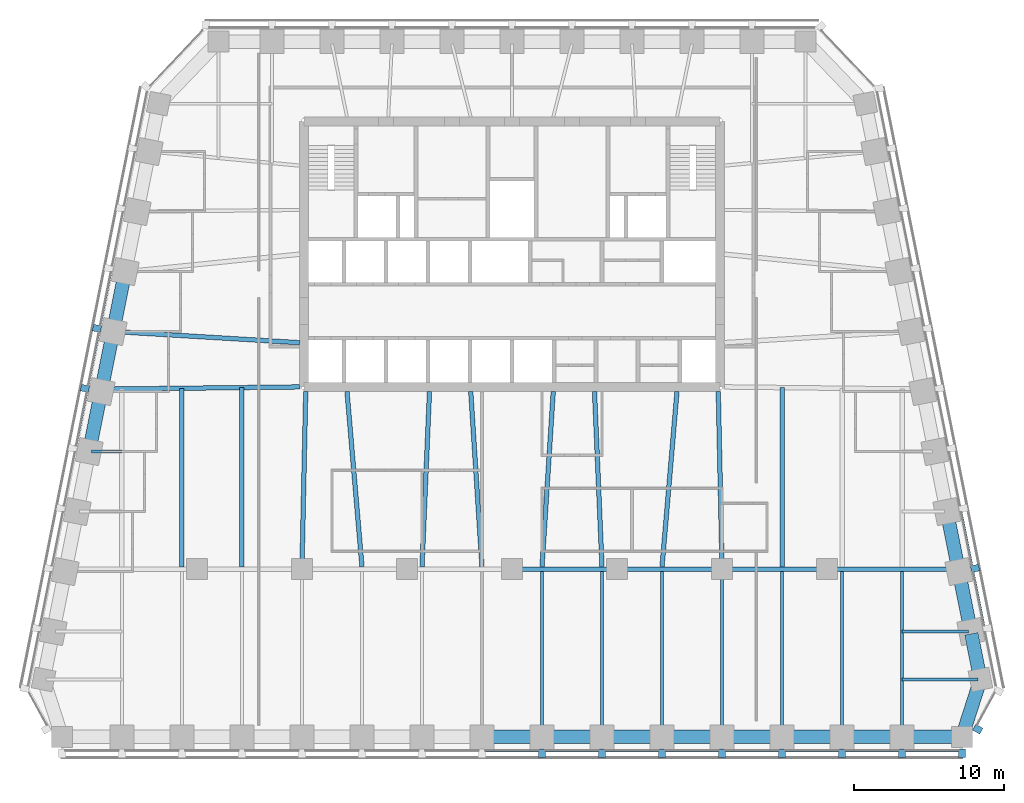
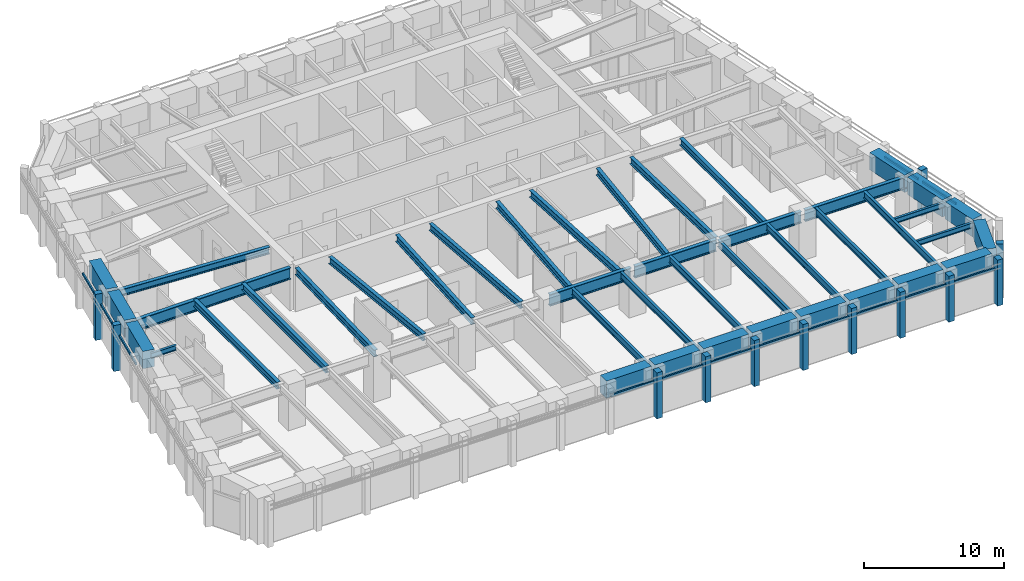
# One storey, part 2 of 10: 42 beams, 25 members, 4 elements without a shape of their own.
"""IFC4 building model written with IfcOpenShell, lengths in metres."""

from ifc_helpers import new_model, si_unit, direction, frame, origin, origin_2d, place, context, subcontext, project, spatial, rectangle, i_section, extrude, material, material_profile, profile_set, type_object, element, aggregate, save


model = new_model("IFC4")

# Units and contexts
model_context = context("Model", 3, precision=1e-05, world=origin(), true_north=direction((0.0, 1.0)))
body_context = subcontext(model_context, "Body", "Model", "MODEL_VIEW")
ifc_project = project(units=[si_unit("LENGTHUNIT", "METRE"), si_unit("AREAUNIT", "SQUARE_METRE"), si_unit("VOLUMEUNIT", "CUBIC_METRE"), si_unit("PLANEANGLEUNIT", "RADIAN"), si_unit("MASSUNIT", "GRAM", prefix="KILO")], contexts=[model_context])

# Site, building, storey
site_placement = place(None, origin())
site = spatial("IfcSite", under=ifc_project, at=site_placement, CompositionType="ELEMENT")
building_placement = place(site_placement, origin())
building = spatial("IfcBuilding", under=site, at=building_placement, Name="Isbrekke Arena Tower", CompositionType="ELEMENT")
storey_placement = place(building_placement, frame((0.0, 0.0, 190.0)))
storey = spatial("IfcBuildingStorey", under=building, at=storey_placement, Name="L43", CompositionType="ELEMENT", Elevation=190.0)

# Beams
ifc_material_1 = material(Name="Steel S355", Category="steel")
ifc_material_profile_1 = material_profile(ifc_material_1, i_section(OverallWidth=0.219970703125, OverallDepth=0.60009765625, WebThickness=0.011962890625, FlangeThickness=0.01904296875, FilletRadius=0.02392578125, at=origin_2d()), Name="IPE 600")
ifc_profile_set_1 = profile_set([ifc_material_profile_1], Name="Steel S355")
beam_type_1 = type_object("IfcBeamType", Name="B1 IPE 600", PredefinedType="BEAM", material=ifc_profile_set_1)
for number, where, z_axis, x_axis, name in (
    (1, (2.0, -17.02490234375, 3.550048828125), (0.0, 1.0, 0.0), (-1.0, 0.0, 0.0), "B1 beam S-S09 L43"),
    (2, (6.0, -17.02490234375, 3.550048828125), (0.0, 1.0, 0.0), (-1.0, 0.0, 0.0), "B1 beam S-S10 L43"),
    (3, (10.0, -17.02490234375, 3.550048828125), (0.0, 1.0, 0.0), (-1.0, 0.0, 0.0), "B1 beam S-S11 L43"),
):
    element("IfcBeam", number, at=place(storey_placement, frame(where, z_axis=z_axis, x_axis=x_axis)), inside=storey, type_object=beam_type_1, Name=name, PredefinedType="BEAM", context=body_context, shape_type="SweptSolid", body=[
        extrude(i_section(OverallWidth=0.219970703125, OverallDepth=0.60009765625, WebThickness=0.011962890625, FlangeThickness=0.01904296875, FilletRadius=0.02392578125, at=origin_2d()), origin(), (0.0, 0.0, 1.0), 10.8740234375),
    ])
beam_1_placement = place(storey_placement, frame((14.0, -17.02490234375, 3.550048828125), z_axis=(0.0, 1.0, 0.0), x_axis=(-1.0, 0.0, 0.0)))
element("IfcBeam", 4, at=beam_1_placement, inside=storey, type_object=beam_type_1, Name="B1 beam S-S12 L43", PredefinedType="BEAM", context=body_context, shape_type="SweptSolid", body=[
    extrude(i_section(OverallWidth=0.219970703125, OverallDepth=0.60009765625, WebThickness=0.011962890625, FlangeThickness=0.01904296875, FilletRadius=0.02392578125, at=origin_2d()), origin(), (0.0, 0.0, 1.0), 10.875),
])
for number, where, z_axis, x_axis, name in (
    (5, (18.0, -17.02490234375, 3.550048828125), (0.0, 1.0, 0.0), (-1.0, 0.0, 0.0), "B1 beam S-S13 L43"),
    (6, (22.0, -17.02490234375, 3.550048828125), (0.0, 1.0, 0.0), (-1.0, 0.0, 0.0), "B1 beam S-S14 L43"),
    (7, (26.0, -17.02490234375, 3.550048828125), (0.0, 1.0, 0.0), (-1.0, 0.0, 0.0), "B1 beam S-S15 L43"),
):
    element("IfcBeam", number, at=place(storey_placement, frame(where, z_axis=z_axis, x_axis=x_axis)), inside=storey, type_object=beam_type_1, Name=name, PredefinedType="BEAM", context=body_context, shape_type="SweptSolid", body=[
        extrude(i_section(OverallWidth=0.219970703125, OverallDepth=0.60009765625, WebThickness=0.011962890625, FlangeThickness=0.01904296875, FilletRadius=0.02392578125, at=origin_2d()), origin(), (0.0, 0.0, 1.0), 10.8740234375),
    ])
ifc_material_2 = material(Name="Steel S355", Category="steel")
ifc_material_profile_2 = material_profile(ifc_material_2, i_section(OverallWidth=0.18994140625, OverallDepth=0.449951171875, WebThickness=0.009521484375, FlangeThickness=0.0146484375, FilletRadius=0.02099609375, at=origin_2d()), Name="IPE 450")
ifc_profile_set_2 = profile_set([ifc_material_profile_2], Name="Steel S355")
beam_type_2 = type_object("IfcBeamType", Name="B2 IPE 450", PredefinedType="BEAM", material=ifc_profile_set_2)
beam_2_placement = place(storey_placement, frame((31.079345703125, -13.352783203125, 3.625), z_axis=(-1.0, 0.0, 0.0), x_axis=(0.0, -1.0, 0.0)))
element("IfcBeam", 8, at=beam_2_placement, inside=storey, type_object=beam_type_2, Name="B2 beam E-E01 L43", PredefinedType="BEAM", context=body_context, shape_type="SweptSolid", body=[
    extrude(i_section(OverallWidth=0.18994140625, OverallDepth=0.449951171875, WebThickness=0.009521484375, FlangeThickness=0.0146484375, FilletRadius=0.02099609375, at=origin_2d()), origin(), (0.0, 0.0, 1.0), 5.079345703125),
])
beam_3_placement = place(storey_placement, frame((30.44091796875, -10.161865234375, 3.625), z_axis=(-1.0, 0.0, 0.0), x_axis=(0.0, -1.0, 0.0)))
element("IfcBeam", 9, at=beam_3_placement, inside=storey, type_object=beam_type_2, Name="B2 beam E-E02 L43", PredefinedType="BEAM", context=body_context, shape_type="SweptSolid", body=[
    extrude(i_section(OverallWidth=0.18994140625, OverallDepth=0.449951171875, WebThickness=0.009521484375, FlangeThickness=0.0146484375, FilletRadius=0.02099609375, at=origin_2d()), origin(), (0.0, 0.0, 1.0), 4.44091796875),
])
beam_4_placement = place(storey_placement, frame((-28.041015625, 1.838134765625, 3.625), z_axis=(1.0, 0.0, 0.0), x_axis=(0.0, 1.0, 0.0)))
element("IfcBeam", 10, at=beam_4_placement, inside=storey, type_object=beam_type_2, Name="B2 beam E-W07 L43", PredefinedType="BEAM", context=body_context, shape_type="SweptSolid", body=[
    extrude(i_section(OverallWidth=0.18994140625, OverallDepth=0.449951171875, WebThickness=0.009521484375, FlangeThickness=0.0146484375, FilletRadius=0.02099609375, at=origin_2d()), origin(), (0.0, 0.0, 1.0), 2.041015625),
])
ifc_material_3 = material(Name="Steel S355", Category="steel")
ifc_material_profile_3 = material_profile(ifc_material_3, i_section(OverallWidth=0.300048828125, OverallDepth=0.60009765625, WebThickness=0.015380859375, FlangeThickness=0.030029296875, FilletRadius=0.027099609375, at=origin_2d()), Name="HEB 600")
ifc_profile_set_3 = profile_set([ifc_material_profile_3], Name="Steel S355")
beam_type_3 = type_object("IfcBeamType", Name="B7 HEB 600", PredefinedType="BEAM", material=ifc_profile_set_3)
beam_5_placement = place(storey_placement, frame((-22.0, -5.84912109375, 3.550048828125), z_axis=(0.0, 1.0, 0.0), x_axis=(-1.0, 0.0, 0.0)))
element("IfcBeam", 11, at=beam_5_placement, inside=storey, type_object=beam_type_3, Name="B7 beam C-M02 L43", PredefinedType="BEAM", context=body_context, shape_type="SweptSolid", body=[
    extrude(i_section(OverallWidth=0.300048828125, OverallDepth=0.60009765625, WebThickness=0.015380859375, FlangeThickness=0.030029296875, FilletRadius=0.027099609375, at=origin_2d()), origin(), (0.0, 0.0, 1.0), 11.91015625),
])
beam_6_placement = place(storey_placement, frame((-18.0, -5.84912109375, 3.550048828125), z_axis=(0.0, 1.0, 0.0), x_axis=(-1.0, 0.0, 0.0)))
element("IfcBeam", 12, at=beam_6_placement, inside=storey, type_object=beam_type_3, Name="B7 beam C-M03 L43", PredefinedType="BEAM", context=body_context, shape_type="SweptSolid", body=[
    extrude(i_section(OverallWidth=0.300048828125, OverallDepth=0.60009765625, WebThickness=0.015380859375, FlangeThickness=0.030029296875, FilletRadius=0.027099609375, at=origin_2d()), origin(), (0.0, 0.0, 1.0), 11.95556640625),
])
beam_7_placement = place(storey_placement, frame((-14.0, -5.8466796875, 3.550048828125), z_axis=(0.021368528218, 0.999771666933, 0.0), x_axis=(-0.999771666933, 0.021368528218, 0.0)))
element("IfcBeam", 13, at=beam_7_placement, inside=storey, type_object=beam_type_3, Name="B7 beam C-M04 L43", PredefinedType="BEAM", context=body_context, shape_type="SweptSolid", body=[
    extrude(i_section(OverallWidth=0.300048828125, OverallDepth=0.60009765625, WebThickness=0.015380859375, FlangeThickness=0.030029296875, FilletRadius=0.027099609375, at=origin_2d()), origin(), (0.0, 0.0, 1.0), 11.699462890625),
])
beam_8_placement = place(storey_placement, frame((-10.0009765625, -5.836181640625, 3.550048828125), z_axis=(-0.085176202372, 0.996365903948, 0.0), x_axis=(-0.996365903948, -0.085176202372, 0.0)))
element("IfcBeam", 14, at=beam_8_placement, inside=storey, type_object=beam_type_3, Name="B7 beam C-M05 L43", PredefinedType="BEAM", context=body_context, shape_type="SweptSolid", body=[
    extrude(i_section(OverallWidth=0.300048828125, OverallDepth=0.60009765625, WebThickness=0.015380859375, FlangeThickness=0.030029296875, FilletRadius=0.027099609375, at=origin_2d()), origin(), (0.0, 0.0, 1.0), 11.72900390625),
])
beam_9_placement = place(storey_placement, frame((-5.999755859375, -5.842529296875, 3.550048828125), z_axis=(0.042702124015, 0.999087848292, 0.0), x_axis=(-0.999087848292, 0.042702124015, 0.0)))
element("IfcBeam", 15, at=beam_9_placement, inside=storey, type_object=beam_type_3, Name="B7 beam C-M06 L43", PredefinedType="BEAM", context=body_context, shape_type="SweptSolid", body=[
    extrude(i_section(OverallWidth=0.300048828125, OverallDepth=0.60009765625, WebThickness=0.015380859375, FlangeThickness=0.030029296875, FilletRadius=0.027099609375, at=origin_2d()), origin(), (0.0, 0.0, 1.0), 11.703369140625),
])
for number, where, z_axis, x_axis, name in (
    (16, (-2.000732421875, -5.83935546875, 3.550048828125), (-0.063966475255, 0.997952047968, 0.0), (-0.997952047968, -0.063966475255, 0.0), "B7 beam C-M07 L43"),
    (17, (2.000732421875, -5.83935546875, 3.550048828125), (0.063966475255, 0.997952047968, 0.0), (-0.997952047968, 0.063966475255, 0.0), "B7 beam C-M08 L43"),
):
    element("IfcBeam", number, at=place(storey_placement, frame(where, z_axis=z_axis, x_axis=x_axis)), inside=storey, type_object=beam_type_3, Name=name, PredefinedType="BEAM", context=body_context, shape_type="SweptSolid", body=[
        extrude(i_section(OverallWidth=0.300048828125, OverallDepth=0.60009765625, WebThickness=0.015380859375, FlangeThickness=0.030029296875, FilletRadius=0.027099609375, at=origin_2d()), origin(), (0.0, 0.0, 1.0), 11.71337890625),
    ])
beam_10_placement = place(storey_placement, frame((5.999755859375, -5.842529296875, 3.550048828125), z_axis=(-0.042702124015, 0.999087848292, 0.0), x_axis=(-0.999087848292, -0.042702124015, 0.0)))
element("IfcBeam", 18, at=beam_10_placement, inside=storey, type_object=beam_type_3, Name="B7 beam C-M09 L43", PredefinedType="BEAM", context=body_context, shape_type="SweptSolid", body=[
    extrude(i_section(OverallWidth=0.300048828125, OverallDepth=0.60009765625, WebThickness=0.015380859375, FlangeThickness=0.030029296875, FilletRadius=0.027099609375, at=origin_2d()), origin(), (0.0, 0.0, 1.0), 11.703369140625),
])
beam_11_placement = place(storey_placement, frame((10.0009765625, -5.836181640625, 3.550048828125), z_axis=(0.085176202372, 0.996365903948, 0.0), x_axis=(-0.996365903948, 0.085176202372, 0.0)))
element("IfcBeam", 19, at=beam_11_placement, inside=storey, type_object=beam_type_3, Name="B7 beam C-M10 L43", PredefinedType="BEAM", context=body_context, shape_type="SweptSolid", body=[
    extrude(i_section(OverallWidth=0.300048828125, OverallDepth=0.60009765625, WebThickness=0.015380859375, FlangeThickness=0.030029296875, FilletRadius=0.027099609375, at=origin_2d()), origin(), (0.0, 0.0, 1.0), 11.72900390625),
])
beam_12_placement = place(storey_placement, frame((14.0, -5.8466796875, 3.550048828125), z_axis=(-0.021368528218, 0.999771666933, 0.0), x_axis=(-0.999771666933, -0.021368528218, 0.0)))
element("IfcBeam", 20, at=beam_12_placement, inside=storey, type_object=beam_type_3, Name="B7 beam C-M11 L43", PredefinedType="BEAM", context=body_context, shape_type="SweptSolid", body=[
    extrude(i_section(OverallWidth=0.300048828125, OverallDepth=0.60009765625, WebThickness=0.015380859375, FlangeThickness=0.030029296875, FilletRadius=0.027099609375, at=origin_2d()), origin(), (0.0, 0.0, 1.0), 11.699462890625),
])
beam_13_placement = place(storey_placement, frame((18.0, -5.84912109375, 3.550048828125), z_axis=(0.0, 1.0, 0.0), x_axis=(-1.0, 0.0, 0.0)))
element("IfcBeam", 21, at=beam_13_placement, inside=storey, type_object=beam_type_3, Name="B7 beam C-M12 L43", PredefinedType="BEAM", context=body_context, shape_type="SweptSolid", body=[
    extrude(i_section(OverallWidth=0.300048828125, OverallDepth=0.60009765625, WebThickness=0.015380859375, FlangeThickness=0.030029296875, FilletRadius=0.027099609375, at=origin_2d()), origin(), (0.0, 0.0, 1.0), 11.95556640625),
])
beam_14_placement = place(storey_placement, frame((-26.43212890625, 9.837646484375, 3.550048828125), z_axis=(0.998201854902, -0.059942112659, 0.0), x_axis=(0.059942112659, 0.998201854902, 0.0)))
element("IfcBeam", 22, at=beam_14_placement, inside=storey, type_object=beam_type_3, Name="B7 beam E-W05 L43", PredefinedType="BEAM", context=body_context, shape_type="SweptSolid", body=[
    extrude(i_section(OverallWidth=0.300048828125, OverallDepth=0.60009765625, WebThickness=0.015380859375, FlangeThickness=0.030029296875, FilletRadius=0.027099609375, at=origin_2d()), origin(), (0.0, 0.0, 1.0), 12.304443359375),
])

# Curtain wall, members
ifc_material_4 = material(Name="Glazed aluminium curtain wall", Category="aluminium")
curtain_wall_type = type_object("IfcCurtainWallType", Name="CWH TOWER CURTAIN WALL HIGH ZONE", PredefinedType="USERDEFINED", material=ifc_material_4)
curtain_wall_1_placement = place(storey_placement, origin())
curtain_wall_1 = element("IfcCurtainWall", 23, at=curtain_wall_1_placement, inside=storey, type_object=curtain_wall_type, Name="CWH curtain wall L43-S", ObjectType="TOWER CURTAIN WALL HIGH ZONE", PredefinedType="USERDEFINED")
ifc_material_5 = material(Name="Aluminium mullion, pale brick slip cladding", Category="masonry")
ifc_material_profile_4 = material_profile(ifc_material_5, rectangle(XDim=0.449951171875, YDim=0.550048828125, at=origin_2d()), Name="PIER 450X550")
ifc_profile_set_4 = profile_set([ifc_material_profile_4], Name="Aluminium mullion, pale brick slip cladding")
member_type_1 = type_object("IfcMemberType", Name="CWH-M PIER MULLION 450 x 550", PredefinedType="MULLION", material=ifc_profile_set_4)
member_1_placement = place(storey_placement, frame((2.0, -18.27490234375, 0.0), z_axis=(0.0, 0.0, 1.0), x_axis=(1.0, 0.0, 0.0)))
member_1 = element("IfcMember", 24, at=member_1_placement, type_object=member_type_1, Name="CWH-M mullion 9", PredefinedType="MULLION", context=body_context, shape_type="SweptSolid", body=[
    extrude(rectangle(XDim=0.449951171875, YDim=0.550048828125, at=origin_2d()), origin(), (0.0, 0.0, 1.0), 4.0),
])
member_2_placement = place(storey_placement, frame((6.0, -18.27490234375, 0.0), z_axis=(0.0, 0.0, 1.0), x_axis=(1.0, 0.0, 0.0)))
member_2 = element("IfcMember", 25, at=member_2_placement, type_object=member_type_1, Name="CWH-M mullion 10", PredefinedType="MULLION", context=body_context, shape_type="SweptSolid", body=[
    extrude(rectangle(XDim=0.449951171875, YDim=0.550048828125, at=origin_2d()), origin(), (0.0, 0.0, 1.0), 4.0),
])
member_3_placement = place(storey_placement, frame((10.0, -18.27490234375, 0.0), z_axis=(0.0, 0.0, 1.0), x_axis=(1.0, 0.0, 0.0)))
member_3 = element("IfcMember", 26, at=member_3_placement, type_object=member_type_1, Name="CWH-M mullion 11", PredefinedType="MULLION", context=body_context, shape_type="SweptSolid", body=[
    extrude(rectangle(XDim=0.449951171875, YDim=0.550048828125, at=origin_2d()), origin(), (0.0, 0.0, 1.0), 4.0),
])
member_4_placement = place(storey_placement, frame((14.0, -18.27490234375, 0.0), z_axis=(0.0, 0.0, 1.0), x_axis=(1.0, 0.0, 0.0)))
member_4 = element("IfcMember", 27, at=member_4_placement, type_object=member_type_1, Name="CWH-M mullion 12", PredefinedType="MULLION", context=body_context, shape_type="SweptSolid", body=[
    extrude(rectangle(XDim=0.449951171875, YDim=0.550048828125, at=origin_2d()), origin(), (0.0, 0.0, 1.0), 4.0),
])
member_5_placement = place(storey_placement, frame((18.0, -18.27490234375, 0.0), z_axis=(0.0, 0.0, 1.0), x_axis=(1.0, 0.0, 0.0)))
member_5 = element("IfcMember", 28, at=member_5_placement, type_object=member_type_1, Name="CWH-M mullion 13", PredefinedType="MULLION", context=body_context, shape_type="SweptSolid", body=[
    extrude(rectangle(XDim=0.449951171875, YDim=0.550048828125, at=origin_2d()), origin(), (0.0, 0.0, 1.0), 4.0),
])
member_6_placement = place(storey_placement, frame((22.0, -18.27490234375, 0.0), z_axis=(0.0, 0.0, 1.0), x_axis=(1.0, 0.0, 0.0)))
member_6 = element("IfcMember", 29, at=member_6_placement, type_object=member_type_1, Name="CWH-M mullion 14", PredefinedType="MULLION", context=body_context, shape_type="SweptSolid", body=[
    extrude(rectangle(XDim=0.449951171875, YDim=0.550048828125, at=origin_2d()), origin(), (0.0, 0.0, 1.0), 4.0),
])
member_7_placement = place(storey_placement, frame((26.0, -18.27490234375, 0.0), z_axis=(0.0, 0.0, 1.0), x_axis=(1.0, 0.0, 0.0)))
member_7 = element("IfcMember", 30, at=member_7_placement, type_object=member_type_1, Name="CWH-M mullion 15", PredefinedType="MULLION", context=body_context, shape_type="SweptSolid", body=[
    extrude(rectangle(XDim=0.449951171875, YDim=0.550048828125, at=origin_2d()), origin(), (0.0, 0.0, 1.0), 4.0),
])
member_8_placement = place(storey_placement, frame((30.0, -18.27490234375, 0.0), z_axis=(0.0, 0.0, 1.0), x_axis=(1.0, 0.0, 0.0)))
member_8 = element("IfcMember", 31, at=member_8_placement, type_object=member_type_1, Name="CWH-M mullion 16", PredefinedType="MULLION", context=body_context, shape_type="SweptSolid", body=[
    extrude(rectangle(XDim=0.449951171875, YDim=0.550048828125, at=origin_2d()), origin(), (0.0, 0.0, 1.0), 4.0),
])

# Curtain wall, member
curtain_wall_2_placement = place(storey_placement, origin())
curtain_wall_2 = element("IfcCurtainWall", 32, at=curtain_wall_2_placement, inside=storey, type_object=curtain_wall_type, Name="CWH curtain wall L43-SE", ObjectType="TOWER CURTAIN WALL HIGH ZONE", PredefinedType="USERDEFINED")
member_9_placement = place(storey_placement, frame((31.047119140625, -16.666748046875, 0.0), z_axis=(0.0, 0.0, 1.0), x_axis=(0.481918749773, 0.876215908676, 0.0)))
member_9 = element("IfcMember", 33, at=member_9_placement, type_object=member_type_1, Name="CWH-M mullion 1", PredefinedType="MULLION", context=body_context, shape_type="SweptSolid", body=[
    extrude(rectangle(XDim=0.449951171875, YDim=0.550048828125, at=origin_2d()), origin(), (0.0, 0.0, 1.0), 4.0),
])
aggregate(curtain_wall_2, [member_9])

curtain_wall_3_placement = place(storey_placement, origin())
curtain_wall_3 = element("IfcCurtainWall", 34, at=curtain_wall_3_placement, inside=storey, type_object=curtain_wall_type, Name="CWH curtain wall L43-E", ObjectType="TOWER CURTAIN WALL HIGH ZONE", PredefinedType="USERDEFINED")
member_10_placement = place(storey_placement, frame((30.86962890625, -5.946044921875, 0.0), z_axis=(0.0, 0.0, 1.0), x_axis=(-0.196116135138, 0.980580675691, 0.0)))
member_10 = element("IfcMember", 35, at=member_10_placement, type_object=member_type_1, Name="CWH-M mullion 2", PredefinedType="MULLION", context=body_context, shape_type="SweptSolid", body=[
    extrude(rectangle(XDim=0.449951171875, YDim=0.550048828125, at=origin_2d()), origin(), (0.0, 0.0, 1.0), 4.0),
])

# Curtain wall, members
curtain_wall_4_placement = place(storey_placement, origin())
curtain_wall_4 = element("IfcCurtainWall", 36, at=curtain_wall_4_placement, inside=storey, type_object=curtain_wall_type, Name="CWH curtain wall L43-W", ObjectType="TOWER CURTAIN WALL HIGH ZONE", PredefinedType="USERDEFINED")
member_11_placement = place(storey_placement, frame((-27.669677734375, 10.053955078125, 0.0), z_axis=(0.0, 0.0, 1.0), x_axis=(-0.196116135138, -0.980580675691, 0.0)))
member_11 = element("IfcMember", 37, at=member_11_placement, type_object=member_type_1, Name="CWH-M mullion 4", PredefinedType="MULLION", context=body_context, shape_type="SweptSolid", body=[
    extrude(rectangle(XDim=0.449951171875, YDim=0.550048828125, at=origin_2d()), origin(), (0.0, 0.0, 1.0), 4.0),
])
member_12_placement = place(storey_placement, frame((-28.4697265625, 6.053955078125, 0.0), z_axis=(0.0, 0.0, 1.0), x_axis=(-0.196116135138, -0.980580675691, 0.0)))
member_12 = element("IfcMember", 38, at=member_12_placement, type_object=member_type_1, Name="CWH-M mullion 5", PredefinedType="MULLION", context=body_context, shape_type="SweptSolid", body=[
    extrude(rectangle(XDim=0.449951171875, YDim=0.550048828125, at=origin_2d()), origin(), (0.0, 0.0, 1.0), 4.0),
])

# Member
ifc_material_6 = material(Name="Aluminium transom", Category="aluminium")
ifc_material_profile_5 = material_profile(ifc_material_6, rectangle(XDim=0.1201171875, YDim=0.199951171875, at=origin_2d()), Name="TRANSOM 120X200")
ifc_profile_set_5 = profile_set([ifc_material_profile_5], Name="Aluminium transom")
member_type_2 = type_object("IfcMemberType", Name="CWH-T TRANSOM 120 x 200", PredefinedType="USERDEFINED", material=ifc_profile_set_5)
member_13_placement = place(storey_placement, frame((-1.77490234375, -18.10009765625, 3.0), z_axis=(1.0, 0.0, 0.0), x_axis=(0.0, 1.0, 0.0)))
member_13 = element("IfcMember", 39, at=member_13_placement, type_object=member_type_2, Name="CWH-T transom 8", ObjectType="TRANSOM", PredefinedType="USERDEFINED", context=body_context, shape_type="SweptSolid", body=[
    extrude(rectangle(XDim=0.1201171875, YDim=0.199951171875, at=origin_2d()), origin(), (0.0, 0.0, 1.0), 3.5498046875),
])

member_14_placement = place(storey_placement, frame((2.22509765625, -18.10009765625, 3.0), z_axis=(1.0, 0.0, 0.0), x_axis=(0.0, 1.0, 0.0)))
member_14 = element("IfcMember", 40, at=member_14_placement, type_object=member_type_2, Name="CWH-T transom 9", ObjectType="TRANSOM", PredefinedType="USERDEFINED", context=body_context, shape_type="SweptSolid", body=[
    extrude(rectangle(XDim=0.1201171875, YDim=0.199951171875, at=origin_2d()), origin(), (0.0, 0.0, 1.0), 3.5498046875),
])

member_15_placement = place(storey_placement, frame((6.22509765625, -18.10009765625, 3.0), z_axis=(1.0, 0.0, 0.0), x_axis=(0.0, 1.0, 0.0)))
member_15 = element("IfcMember", 41, at=member_15_placement, type_object=member_type_2, Name="CWH-T transom 10", ObjectType="TRANSOM", PredefinedType="USERDEFINED", context=body_context, shape_type="SweptSolid", body=[
    extrude(rectangle(XDim=0.1201171875, YDim=0.199951171875, at=origin_2d()), origin(), (0.0, 0.0, 1.0), 3.5498046875),
])

member_16_placement = place(storey_placement, frame((10.22509765625, -18.10009765625, 3.0), z_axis=(1.0, 0.0, 0.0), x_axis=(0.0, 1.0, 0.0)))
member_16 = element("IfcMember", 42, at=member_16_placement, type_object=member_type_2, Name="CWH-T transom 11", ObjectType="TRANSOM", PredefinedType="USERDEFINED", context=body_context, shape_type="SweptSolid", body=[
    extrude(rectangle(XDim=0.1201171875, YDim=0.199951171875, at=origin_2d()), origin(), (0.0, 0.0, 1.0), 3.5498046875),
])

member_17_placement = place(storey_placement, frame((14.22509765625, -18.10009765625, 3.0), z_axis=(1.0, 0.0, 0.0), x_axis=(0.0, 1.0, 0.0)))
member_17 = element("IfcMember", 43, at=member_17_placement, type_object=member_type_2, Name="CWH-T transom 12", ObjectType="TRANSOM", PredefinedType="USERDEFINED", context=body_context, shape_type="SweptSolid", body=[
    extrude(rectangle(XDim=0.1201171875, YDim=0.199951171875, at=origin_2d()), origin(), (0.0, 0.0, 1.0), 3.5498046875),
])

member_18_placement = place(storey_placement, frame((18.22509765625, -18.10009765625, 3.0), z_axis=(1.0, 0.0, 0.0), x_axis=(0.0, 1.0, 0.0)))
member_18 = element("IfcMember", 44, at=member_18_placement, type_object=member_type_2, Name="CWH-T transom 13", ObjectType="TRANSOM", PredefinedType="USERDEFINED", context=body_context, shape_type="SweptSolid", body=[
    extrude(rectangle(XDim=0.1201171875, YDim=0.199951171875, at=origin_2d()), origin(), (0.0, 0.0, 1.0), 3.5498046875),
])

member_19_placement = place(storey_placement, frame((22.22509765625, -18.10009765625, 3.0), z_axis=(1.0, 0.0, 0.0), x_axis=(0.0, 1.0, 0.0)))
member_19 = element("IfcMember", 45, at=member_19_placement, type_object=member_type_2, Name="CWH-T transom 14", ObjectType="TRANSOM", PredefinedType="USERDEFINED", context=body_context, shape_type="SweptSolid", body=[
    extrude(rectangle(XDim=0.1201171875, YDim=0.199951171875, at=origin_2d()), origin(), (0.0, 0.0, 1.0), 3.5498046875),
])

member_20_placement = place(storey_placement, frame((26.22509765625, -18.10009765625, 3.0), z_axis=(1.0, 0.0, 0.0), x_axis=(0.0, 1.0, 0.0)))
member_20 = element("IfcMember", 46, at=member_20_placement, type_object=member_type_2, Name="CWH-T transom 15", ObjectType="TRANSOM", PredefinedType="USERDEFINED", context=body_context, shape_type="SweptSolid", body=[
    extrude(rectangle(XDim=0.1201171875, YDim=0.199951171875, at=origin_2d()), origin(), (0.0, 0.0, 1.0), 3.5498046875),
])

aggregate(curtain_wall_1, [member_1, member_2, member_3, member_4, member_5, member_6, member_7, member_8, member_13, member_14, member_15, member_16, member_17, member_18, member_19, member_20])

member_21_placement = place(storey_placement, frame((31.453857421875, -9.759765625, 3.0), z_axis=(-0.196090262229, 0.980585849918, 0.0), x_axis=(-0.980585849918, -0.196090262229, 0.0)))
member_21 = element("IfcMember", 47, at=member_21_placement, type_object=member_type_2, Name="CWH-T transom 2", ObjectType="TRANSOM", PredefinedType="USERDEFINED", context=body_context, shape_type="SweptSolid", body=[
    extrude(rectangle(XDim=0.1201171875, YDim=0.199951171875, at=origin_2d()), origin(), (0.0, 0.0, 1.0), 3.62939453125),
])

member_22_placement = place(storey_placement, frame((30.654052734375, -5.759765625, 3.0), z_axis=(-0.196154943734, 0.980572913173, 0.0), x_axis=(-0.980572913173, -0.196154943734, 0.0)))
member_22 = element("IfcMember", 48, at=member_22_placement, type_object=member_type_2, Name="CWH-T transom 3", ObjectType="TRANSOM", PredefinedType="USERDEFINED", context=body_context, shape_type="SweptSolid", body=[
    extrude(rectangle(XDim=0.1201171875, YDim=0.199951171875, at=origin_2d()), origin(), (0.0, 0.0, 1.0), 3.62939453125),
])

aggregate(curtain_wall_3, [member_10, member_21, member_22])

member_23_placement = place(storey_placement, frame((-26.7421875, 13.799072265625, 3.0), z_axis=(-0.196090262229, -0.980585849918, 0.0), x_axis=(0.980585849918, -0.196090262229, 0.0)))
member_23 = element("IfcMember", 49, at=member_23_placement, type_object=member_type_2, Name="CWH-T transom 4", ObjectType="TRANSOM", PredefinedType="USERDEFINED", context=body_context, shape_type="SweptSolid", body=[
    extrude(rectangle(XDim=0.1201171875, YDim=0.199951171875, at=origin_2d()), origin(), (0.0, 0.0, 1.0), 3.62939453125),
])

member_24_placement = place(storey_placement, frame((-27.542236328125, 9.799072265625, 3.0), z_axis=(-0.196090262229, -0.980585849918, 0.0), x_axis=(0.980585849918, -0.196090262229, 0.0)))
member_24 = element("IfcMember", 50, at=member_24_placement, type_object=member_type_2, Name="CWH-T transom 5", ObjectType="TRANSOM", PredefinedType="USERDEFINED", context=body_context, shape_type="SweptSolid", body=[
    extrude(rectangle(XDim=0.1201171875, YDim=0.199951171875, at=origin_2d()), origin(), (0.0, 0.0, 1.0), 3.62939453125),
])

member_25_placement = place(storey_placement, frame((-28.34228515625, 5.799072265625, 3.0), z_axis=(-0.196090262229, -0.980585849918, 0.0), x_axis=(0.980585849918, -0.196090262229, 0.0)))
member_25 = element("IfcMember", 51, at=member_25_placement, type_object=member_type_2, Name="CWH-T transom 6", ObjectType="TRANSOM", PredefinedType="USERDEFINED", context=body_context, shape_type="SweptSolid", body=[
    extrude(rectangle(XDim=0.1201171875, YDim=0.199951171875, at=origin_2d()), origin(), (0.0, 0.0, 1.0), 3.62939453125),
])

aggregate(curtain_wall_4, [member_11, member_12, member_23, member_24, member_25])

# Beams
ifc_material_7 = material(Name="Steel S355", Category="steel")
ifc_material_profile_6 = material_profile(ifc_material_7, i_section(OverallWidth=0.302001953125, OverallDepth=1.008056640625, WebThickness=0.02099609375, FlangeThickness=0.0400390625, FilletRadius=0.030029296875, at=origin_2d()), Name="HEM 1000")
ifc_profile_set_6 = profile_set([ifc_material_profile_6], Name="Steel S355")
beam_type_4 = type_object("IfcBeamType", Name="G1 HEM 1000", PredefinedType="BEAM", material=ifc_profile_set_6)
for number, where, z_axis, x_axis, name in (
    (52, (0.14990234375, -6.0, 3.345947265625), (1.0, 0.0, 0.0), (0.0, 1.0, 0.0), "G1 beam G1-05 L43"),
    (53, (7.14990234375, -6.0, 3.345947265625), (1.0, 0.0, 0.0), (0.0, 1.0, 0.0), "G1 beam G1-06 L43"),
    (54, (14.14990234375, -6.0, 3.345947265625), (1.0, 0.0, 0.0), (0.0, 1.0, 0.0), "G1 beam G1-07 L43"),
):
    element("IfcBeam", number, at=place(storey_placement, frame(where, z_axis=z_axis, x_axis=x_axis)), inside=storey, type_object=beam_type_4, Name=name, PredefinedType="BEAM", context=body_context, shape_type="SweptSolid", body=[
        extrude(i_section(OverallWidth=0.302001953125, OverallDepth=1.008056640625, WebThickness=0.02099609375, FlangeThickness=0.0400390625, FilletRadius=0.030029296875, at=origin_2d()), origin(), (0.0, 0.0, 1.0), 6.7001953125),
    ])
beam_15_placement = place(storey_placement, frame((21.14990234375, -6.0, 3.345947265625), z_axis=(1.0, 0.0, 0.0), x_axis=(0.0, 1.0, 0.0)))
element("IfcBeam", 55, at=beam_15_placement, inside=storey, type_object=beam_type_4, Name="G1 beam G1-08 L43", PredefinedType="BEAM", context=body_context, shape_type="SweptSolid", body=[
    extrude(i_section(OverallWidth=0.302001953125, OverallDepth=1.008056640625, WebThickness=0.02099609375, FlangeThickness=0.0400390625, FilletRadius=0.030029296875, at=origin_2d()), origin(), (0.0, 0.0, 1.0), 8.64111328125),
])
ifc_material_8 = material(Name="Steel S355", Category="steel")
ifc_material_profile_7 = material_profile(ifc_material_8, i_section(OverallWidth=0.302001953125, OverallDepth=1.008056640625, WebThickness=0.02099609375, FlangeThickness=0.0400390625, FilletRadius=0.030029296875, at=origin_2d()), Name="HEM 1000")
ifc_profile_set_7 = profile_set([ifc_material_profile_7], Name="Steel S355")
beam_type_5 = type_object("IfcBeamType", Name="G2 HEM 1000", PredefinedType="BEAM", material=ifc_profile_set_7)
beam_16_placement = place(storey_placement, frame((-14.14990234375, 6.14990234375, 3.345947265625), z_axis=(-0.999935908299, -0.011321629528, 0.0), x_axis=(0.011321629528, -0.999935908299, 0.0)))
element("IfcBeam", 56, at=beam_16_placement, inside=storey, type_object=beam_type_5, Name="G2 beam G2-W L43", PredefinedType="BEAM", context=body_context, shape_type="SweptSolid", body=[
    extrude(i_section(OverallWidth=0.302001953125, OverallDepth=1.008056640625, WebThickness=0.02099609375, FlangeThickness=0.0400390625, FilletRadius=0.030029296875, at=origin_2d()), origin(), (0.0, 0.0, 1.0), 13.240234375),
])
ifc_material_9 = material(Name="Concrete B65 (C65/80)", Category="concrete")
ifc_material_profile_8 = material_profile(ifc_material_9, rectangle(XDim=0.89990234375, YDim=1.5, at=origin_2d()), Name="RC 900x1500")
ifc_profile_set_8 = profile_set([ifc_material_profile_8], Name="Concrete B65 (C65/80)")
beam_type_6 = type_object("IfcBeamType", Name="SB3 RC 900 x 1500", PredefinedType="SPANDREL", material=ifc_profile_set_8)
for number, where, z_axis, x_axis, name in (
    (57, (-1.85009765625, -17.175048828125, 3.25), (1.0, 0.0, 0.0), (0.0, 1.0, 0.0), "SB3 spandrel S08-S09 L43"),
    (58, (2.14990234375, -17.175048828125, 3.25), (1.0, 0.0, 0.0), (0.0, 1.0, 0.0), "SB3 spandrel S09-S10 L43"),
    (59, (6.14990234375, -17.175048828125, 3.25), (1.0, 0.0, 0.0), (0.0, 1.0, 0.0), "SB3 spandrel S10-S11 L43"),
    (60, (10.14990234375, -17.175048828125, 3.25), (1.0, 0.0, 0.0), (0.0, 1.0, 0.0), "SB3 spandrel S11-S12 L43"),
    (61, (14.14990234375, -17.175048828125, 3.25), (1.0, 0.0, 0.0), (0.0, 1.0, 0.0), "SB3 spandrel S12-S13 L43"),
    (62, (18.14990234375, -17.175048828125, 3.25), (1.0, 0.0, 0.0), (0.0, 1.0, 0.0), "SB3 spandrel S13-S14 L43"),
    (63, (22.14990234375, -17.175048828125, 3.25), (1.0, 0.0, 0.0), (0.0, 1.0, 0.0), "SB3 spandrel S14-S15 L43"),
    (64, (26.14990234375, -17.175048828125, 3.25), (1.0, 0.0, 0.0), (0.0, 1.0, 0.0), "SB3 spandrel S15-S16 L43"),
):
    element("IfcBeam", number, at=place(storey_placement, frame(where, z_axis=z_axis, x_axis=x_axis)), inside=storey, type_object=beam_type_6, Name=name, PredefinedType="SPANDREL", context=body_context, shape_type="SweptSolid", body=[
        extrude(rectangle(XDim=0.89990234375, YDim=1.5, at=origin_2d()), origin(), (0.0, 0.0, 1.0), 3.7001953125),
    ])
beam_17_placement = place(storey_placement, frame((30.0458984375, -17.0322265625, 3.25), z_axis=(0.306175101476, 0.951975213562, 0.0), x_axis=(-0.951975213562, 0.306175101476, 0.0)))
element("IfcBeam", 65, at=beam_17_placement, inside=storey, type_object=beam_type_6, Name="SB3 spandrel S16-E01 L43", PredefinedType="SPANDREL", context=body_context, shape_type="SweptSolid", body=[
    extrude(rectangle(XDim=0.89990234375, YDim=1.5, at=origin_2d()), origin(), (0.0, 0.0, 1.0), 3.715087890625),
])
beam_18_placement = place(storey_placement, frame((31.19970703125, -13.205810546875, 3.25), z_axis=(-0.196100243168, 0.980583853951, 0.0), x_axis=(-0.980583853951, -0.196100243168, 0.0)))
element("IfcBeam", 66, at=beam_18_placement, inside=storey, type_object=beam_type_6, Name="SB3 spandrel E01-E02 L43", PredefinedType="SPANDREL", context=body_context, shape_type="SweptSolid", body=[
    extrude(rectangle(XDim=0.89990234375, YDim=1.5, at=origin_2d()), origin(), (0.0, 0.0, 1.0), 2.954345703125),
])
beam_19_placement = place(storey_placement, frame((30.5615234375, -10.0146484375, 3.25), z_axis=(-0.1960664412, 0.980590613169, 0.0), x_axis=(-0.980590613169, -0.1960664412, 0.0)))
element("IfcBeam", 67, at=beam_19_placement, inside=storey, type_object=beam_type_6, Name="SB3 spandrel E02-E03 L43", PredefinedType="SPANDREL", context=body_context, shape_type="SweptSolid", body=[
    extrude(rectangle(XDim=0.89990234375, YDim=1.5, at=origin_2d()), origin(), (0.0, 0.0, 1.0), 3.779052734375),
])
beam_20_placement = place(storey_placement, frame((29.76171875, -6.0146484375, 3.25), z_axis=(-0.196128558387, 0.980578190959, 0.0), x_axis=(-0.980578190959, -0.196128558387, 0.0)))
element("IfcBeam", 68, at=beam_20_placement, inside=storey, type_object=beam_type_6, Name="SB3 spandrel E03-E04 L43", PredefinedType="SPANDREL", context=body_context, shape_type="SweptSolid", body=[
    extrude(rectangle(XDim=0.89990234375, YDim=1.5, at=origin_2d()), origin(), (0.0, 0.0, 1.0), 3.779296875),
])
beam_21_placement = place(storey_placement, frame((-25.820556640625, 13.691162109375, 3.25), z_axis=(-0.1960664412, -0.980590613169, 0.0), x_axis=(0.980590613169, -0.1960664412, 0.0)))
element("IfcBeam", 69, at=beam_21_placement, inside=storey, type_object=beam_type_6, Name="SB3 spandrel W04-W05 L43", PredefinedType="SPANDREL", context=body_context, shape_type="SweptSolid", body=[
    extrude(rectangle(XDim=0.89990234375, YDim=1.5, at=origin_2d()), origin(), (0.0, 0.0, 1.0), 3.779052734375),
])
for number, where, z_axis, x_axis, name in (
    (70, (-26.620361328125, 9.691162109375, 3.25), (-0.196128558387, -0.980578190959, 0.0), (0.980578190959, -0.196128558387, 0.0), "SB3 spandrel W05-W06 L43"),
    (71, (-27.42041015625, 5.691162109375, 3.25), (-0.196128558387, -0.980578190959, 0.0), (0.980578190959, -0.196128558387, 0.0), "SB3 spandrel W06-W07 L43"),
):
    element("IfcBeam", number, at=place(storey_placement, frame(where, z_axis=z_axis, x_axis=x_axis)), inside=storey, type_object=beam_type_6, Name=name, PredefinedType="SPANDREL", context=body_context, shape_type="SweptSolid", body=[
        extrude(rectangle(XDim=0.89990234375, YDim=1.5, at=origin_2d()), origin(), (0.0, 0.0, 1.0), 3.779296875),
    ])

save(model, "model.ifc")
